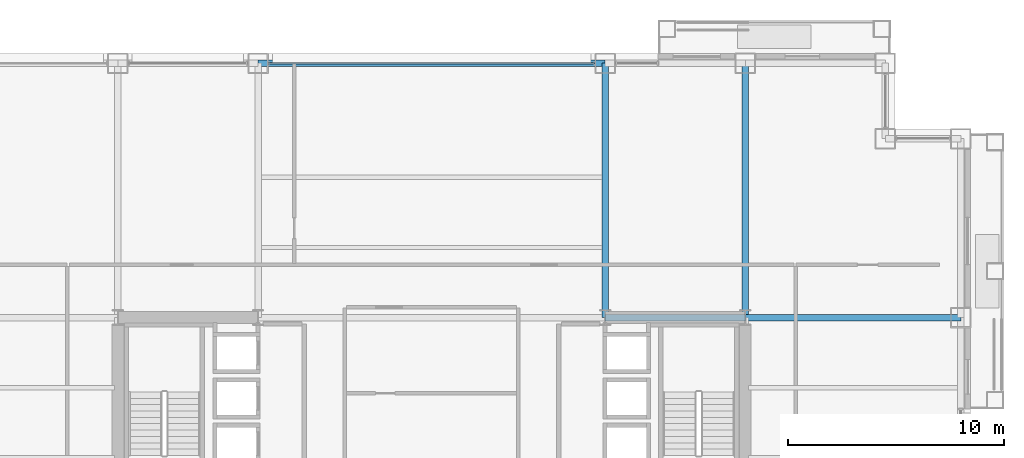
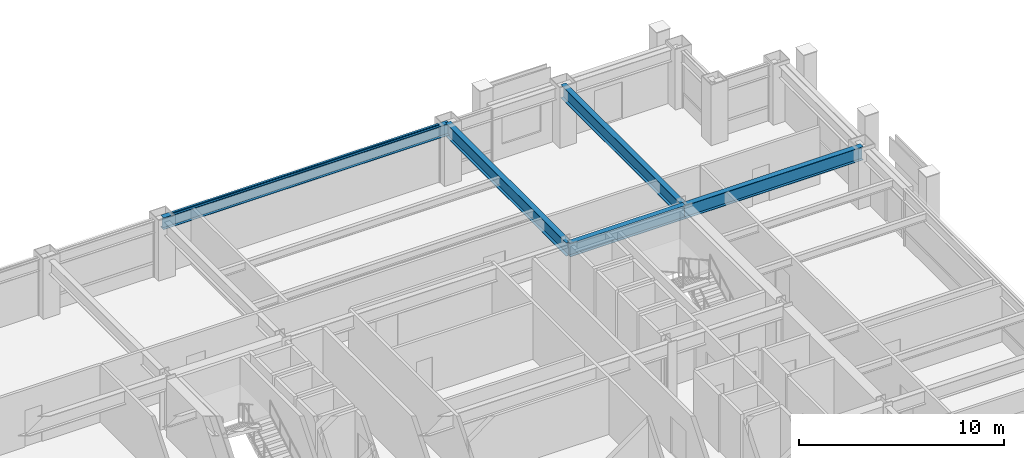
# One storey, part 20 of 31: 5 beams, 1 member, 1 element without a shape of its own.
"""IFC4 building model written with IfcOpenShell, lengths in metres."""

from ifc_helpers import new_model, si_unit, direction, frame, origin, origin_2d, place, context, subcontext, project, spatial, hollow_rectangle, i_section, extrude, material, layer, layer_set, material_profile, profile_set, type_object, element, aggregate, save


model = new_model("IFC4")

# Units and contexts
model_context = context("Model", 3, precision=1e-05, world=origin(), true_north=direction((0.0, 1.0)))
body_context = subcontext(model_context, "Body", "Model", "MODEL_VIEW")
ifc_project = project(units=[si_unit("LENGTHUNIT", "METRE"), si_unit("AREAUNIT", "SQUARE_METRE"), si_unit("VOLUMEUNIT", "CUBIC_METRE"), si_unit("PLANEANGLEUNIT", "RADIAN"), si_unit("MASSUNIT", "GRAM", prefix="KILO")], contexts=[model_context])

# Site, building, storey
site_placement = place(None, origin())
site = spatial("IfcSite", under=ifc_project, at=site_placement, CompositionType="ELEMENT")
building_placement = place(site_placement, origin())
building = spatial("IfcBuilding", under=site, at=building_placement, Name="Brelmoor Portico Tower", CompositionType="ELEMENT")
storey_placement = place(building_placement, frame((0.0, 0.0, 31.199951171875)))
storey = spatial("IfcBuildingStorey", under=building, at=storey_placement, Name="L07", CompositionType="ELEMENT", Elevation=31.199951171875)

# Beams
ifc_material_1 = material(Name="Steel Q355B", Category="steel")
ifc_material_profile_1 = material_profile(ifc_material_1, i_section(OverallWidth=0.300048828125, OverallDepth=0.800048828125, WebThickness=0.013916015625, FlangeThickness=0.02587890625, at=origin_2d()), Name="HN 800x300x14x26")
ifc_profile_set_1 = profile_set([ifc_material_profile_1], Name="Steel Q355B")
beam_type_1 = type_object("IfcBeamType", Name="BM-PG-800", PredefinedType="BEAM", material=ifc_profile_set_1)
for number, where, z_axis, x_axis, name in (
    (1, (8.050048828125, 9.75, 3.0), (0.0, 1.0, 0.0), (-1.0, 0.0, 0.0), "L07 Primary Floor Girder PG-10"),
    (2, (14.550048828125, 9.75, 3.0), (0.0, 1.0, 0.0), (-1.0, 0.0, 0.0), "L07 Primary Floor Girder PG-14"),
):
    element("IfcBeam", number, at=place(storey_placement, frame(where, z_axis=z_axis, x_axis=x_axis)), inside=storey, type_object=beam_type_1, Name=name, PredefinedType="BEAM", context=body_context, shape_type="SweptSolid", body=[
        extrude(i_section(OverallWidth=0.300048828125, OverallDepth=0.800048828125, WebThickness=0.013916015625, FlangeThickness=0.02587890625, at=origin_2d()), origin(), (0.0, 0.0, 1.0), 11.800048828125),
    ])
beam_1_placement = place(storey_placement, frame((8.050048828125, 9.75, 3.0), z_axis=(1.0, 0.0, 0.0), x_axis=(0.0, 1.0, 0.0)))
element("IfcBeam", 3, at=beam_1_placement, inside=storey, type_object=beam_type_1, Name="L07 Primary Floor Girder PG-30", PredefinedType="BEAM", context=body_context, shape_type="SweptSolid", body=[
    extrude(i_section(OverallWidth=0.300048828125, OverallDepth=0.800048828125, WebThickness=0.013916015625, FlangeThickness=0.02587890625, at=origin_2d()), origin(), (0.0, 0.0, 1.0), 6.5),
])
beam_2_placement = place(storey_placement, frame((14.550048828125, 9.75, 3.0), z_axis=(1.0, 0.0, 0.0), x_axis=(0.0, 1.0, 0.0)))
element("IfcBeam", 4, at=beam_2_placement, inside=storey, type_object=beam_type_1, Name="L07 Primary Floor Girder PG-31", PredefinedType="BEAM", context=body_context, shape_type="SweptSolid", body=[
    extrude(i_section(OverallWidth=0.300048828125, OverallDepth=0.800048828125, WebThickness=0.013916015625, FlangeThickness=0.02587890625, at=origin_2d()), origin(), (0.0, 0.0, 1.0), 10.0),
])
ifc_material_profile_2 = material_profile(ifc_material_1, i_section(OverallWidth=0.300048828125, OverallDepth=0.699951171875, WebThickness=0.012939453125, FlangeThickness=0.02392578125, at=origin_2d()), Name="HN 700x300x13x24")
ifc_profile_set_2 = profile_set([ifc_material_profile_2], Name="Steel Q355B")
beam_type_2 = type_object("IfcBeamType", Name="BM-SP-700", PredefinedType="SPANDREL", material=ifc_profile_set_2)
beam_3_placement = place(storey_placement, frame((-8.050048828125, 21.550048828125, 3.050048828125), z_axis=(1.0, 0.0, 0.0), x_axis=(0.0, 1.0, 0.0)))
element("IfcBeam", 5, at=beam_3_placement, inside=storey, type_object=beam_type_2, Name="L07 Perimeter Spandrel Beam SP-12", PredefinedType="SPANDREL", context=body_context, shape_type="SweptSolid", body=[
    extrude(i_section(OverallWidth=0.300048828125, OverallDepth=0.699951171875, WebThickness=0.012939453125, FlangeThickness=0.02392578125, at=origin_2d()), origin(), (0.0, 0.0, 1.0), 16.10009765625),
])

# Curtain wall, member
ifc_material_2 = material(Name="Anodised Aluminium Alloy 6063-T6", Category="aluminium")
ifc_layer = layer(ifc_material_2, 0.179931640625)
ifc_layer_set = layer_set([ifc_layer], Name="Anodised Aluminium Alloy 6063-T6")
curtain_wall_type = type_object("IfcCurtainWallType", Name="CW-TOWER-Z1-XB", PredefinedType="NOTDEFINED", material=ifc_layer_set)
curtain_wall_placement = place(storey_placement, origin())
curtain_wall = element("IfcCurtainWall", 6, at=curtain_wall_placement, inside=storey, type_object=curtain_wall_type, Name="L07 Curtain Wall CW-L07-2L-3", PredefinedType="NOTDEFINED")
ifc_material_profile_3 = material_profile(ifc_material_2, hollow_rectangle(XDim=0.06494140625, YDim=0.139892578125, WallThickness=0.00390625, at=origin_2d()), Name="ALU TRANSOM 65x140")
ifc_profile_set_3 = profile_set([ifc_material_profile_3], Name="Anodised Aluminium Alloy 6063-T6")
member_type = type_object("IfcMemberType", Name="MB-CW-TRAN-140", PredefinedType="USERDEFINED", material=ifc_profile_set_3)
member_placement = place(storey_placement, frame((-7.56494140625, 21.550048828125, 3.330078125), z_axis=(1.0, 0.0, 0.0), x_axis=(0.0, 1.0, 0.0)))
member = element("IfcMember", 7, at=member_placement, type_object=member_type, Name="CW-L07-2L-3 Transom 1-00", ObjectType="TRANSOM", PredefinedType="USERDEFINED", context=body_context, shape_type="SweptSolid", body=[
    extrude(hollow_rectangle(XDim=0.06494140625, YDim=0.139892578125, WallThickness=0.00390625, at=origin_2d()), origin(), (0.0, 0.0, 1.0), 15.1298828125),
])
aggregate(curtain_wall, [member])

save(model, "model.ifc")
